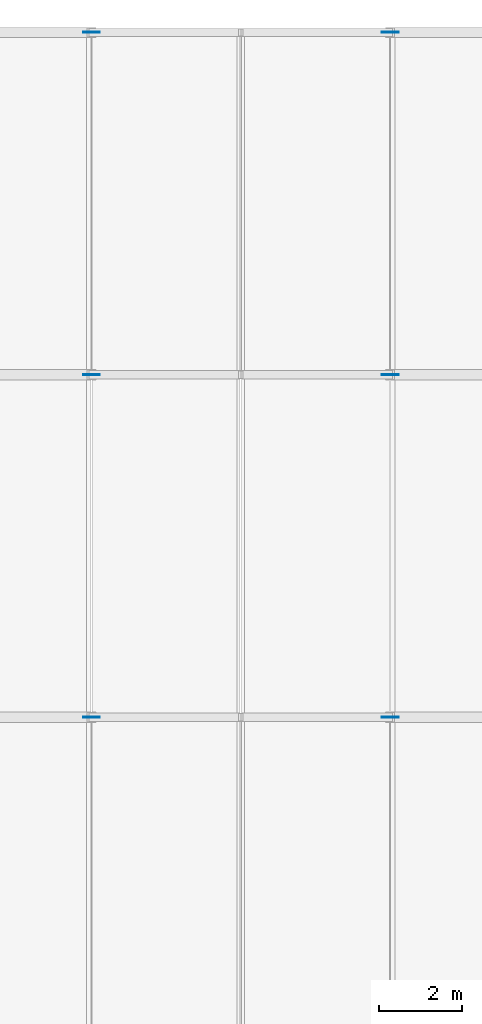
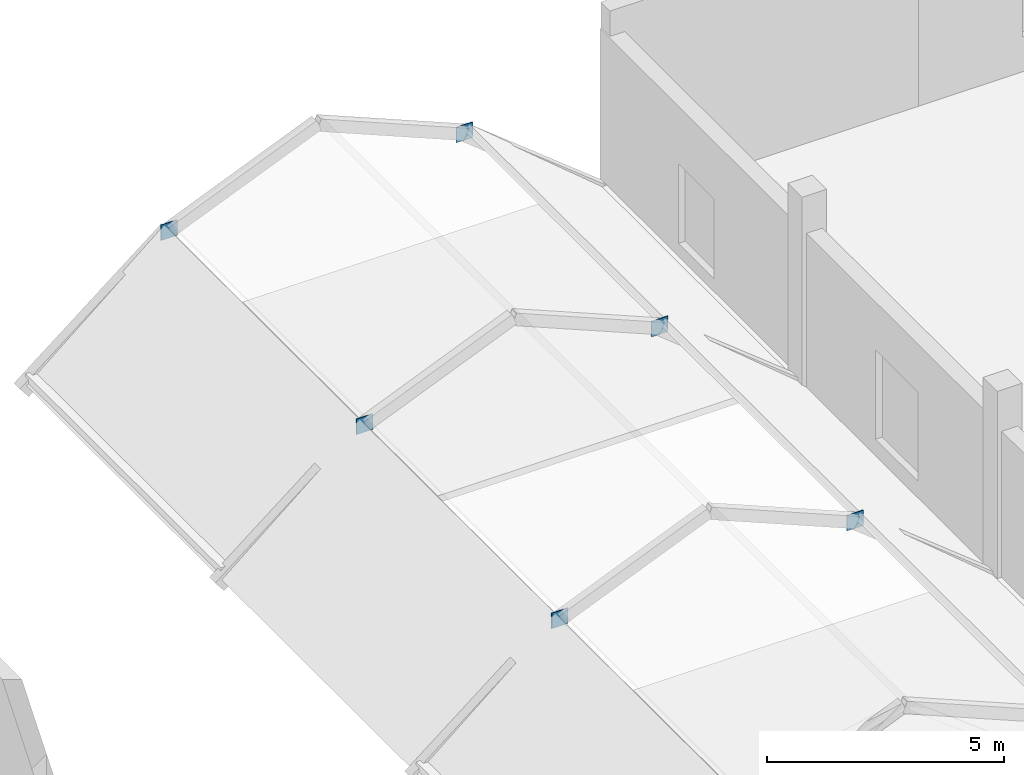
# One storey, part 114 of 141: 6 plates.
"""IFC4 building model written with IfcOpenShell, lengths in metres."""

from ifc_helpers import new_model, si_unit, direction, frame, origin, origin_2d, place, context, subcontext, project, spatial, rectangle, extrude, material, layer, layer_set, type_object, element, save


model = new_model("IFC4")

# Units and contexts
model_context = context("Model", 3, precision=1e-05, world=origin(), true_north=direction((0.0, 1.0)))
body_context = subcontext(model_context, "Body", "Model", "MODEL_VIEW")
ifc_project = project(units=[si_unit("LENGTHUNIT", "METRE"), si_unit("AREAUNIT", "SQUARE_METRE"), si_unit("VOLUMEUNIT", "CUBIC_METRE"), si_unit("PLANEANGLEUNIT", "RADIAN"), si_unit("MASSUNIT", "GRAM", prefix="KILO")], contexts=[model_context])

# Site, building, storey
site_placement = place(None, origin())
site = spatial("IfcSite", under=ifc_project, at=site_placement, CompositionType="ELEMENT")
building_placement = place(site_placement, origin())
building = spatial("IfcBuilding", under=site, at=building_placement, Name="Sundgate Opera House", CompositionType="ELEMENT")
storey_placement = place(building_placement, frame((0.0, 0.0, 11.39990234375)))
storey = spatial("IfcBuildingStorey", under=building, at=storey_placement, Name="L02", CompositionType="ELEMENT", Elevation=11.39990234375)

# Plates
ifc_material = material(Name="Steel S355J2", Category="steel")
ifc_layer = layer(ifc_material, 0.02197265625)
ifc_layer_set = layer_set([ifc_layer], Name="Steel S355J2")
plate_type = type_object("IfcPlateType", Name="PT-GUS-22", PredefinedType="USERDEFINED", material=ifc_layer_set)
for number, where, z_axis, x_axis, name in (
    (1, (84.60009765625, 103.5, 2.85009765625), (0.0, 0.0, 1.0), (1.0, 0.0, 0.0), "Passage Strut Top Gusset"),
    (2, (91.800048828125, 103.5, 2.85009765625), (0.0, 0.0, 1.0), (1.0, 0.0, 0.0), "Passage Strut Top Gusset"),
    (3, (84.60009765625, 111.75, 2.85009765625), (0.0, 0.0, 1.0), (1.0, 0.0, 0.0), "Passage Strut Top Gusset"),
    (4, (91.800048828125, 111.75, 2.85009765625), (0.0, 0.0, 1.0), (1.0, 0.0, 0.0), "Passage Strut Top Gusset"),
    (5, (84.60009765625, 120.0, 2.85009765625), (0.0, 0.0, 1.0), (1.0, 0.0, 0.0), "Passage Strut Top Gusset"),
    (6, (91.800048828125, 120.0, 2.85009765625), (0.0, 0.0, 1.0), (1.0, 0.0, 0.0), "Passage Strut Top Gusset"),
):
    element("IfcPlate", number, at=place(storey_placement, frame(where, z_axis=z_axis, x_axis=x_axis)), inside=storey, type_object=plate_type, Name=name, ObjectType="GUSSET PLATE", PredefinedType="USERDEFINED", context=body_context, shape_type="SweptSolid", body=[
        extrude(rectangle(XDim=0.39990234375, YDim=0.02197265625, at=origin_2d()), origin(), (0.0, 0.0, 1.0), 0.39990234375),
    ])

save(model, "model.ifc")
